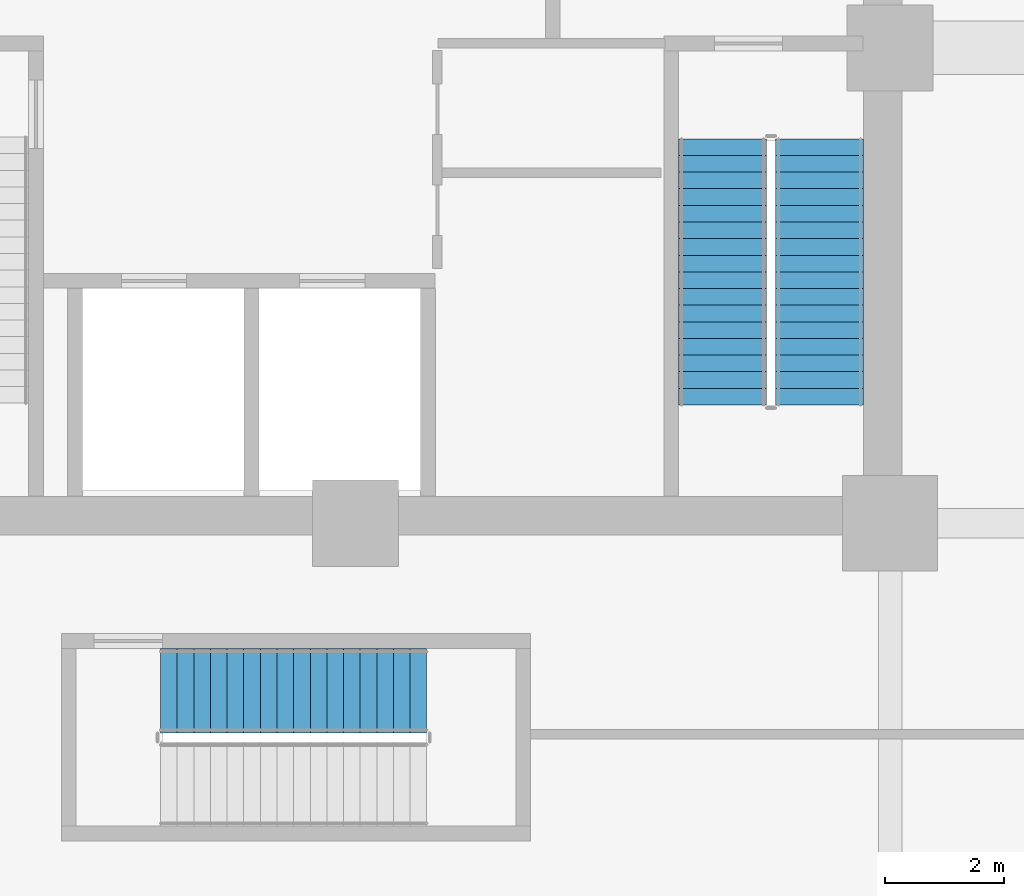
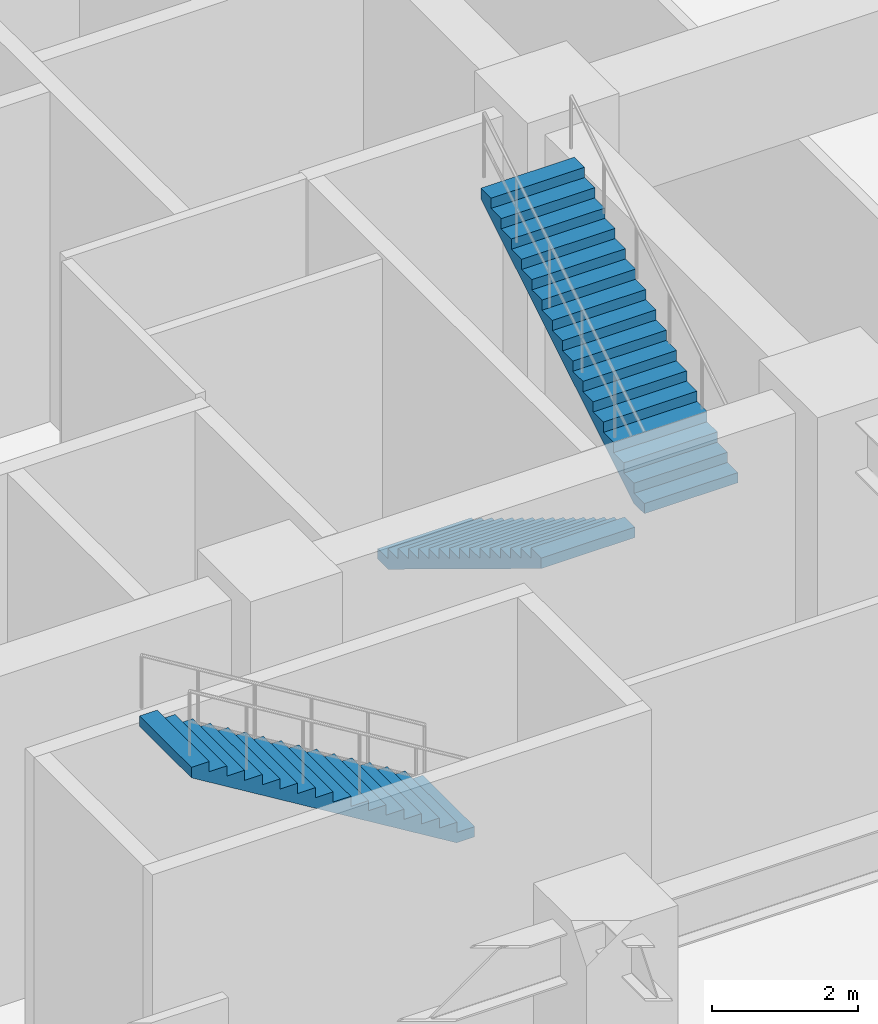
# One storey, part 5 of 12: 3 stair flights, 2 elements without a shape of their own.
"""IFC4 building model written with IfcOpenShell, lengths in metres."""

from ifc_helpers import new_model, si_unit, direction, frame, origin, place, context, subcontext, project, spatial, polyline, outline, extrude, material, type_object, element, aggregate, save


model = new_model("IFC4")

# Units and contexts
model_context = context("Model", 3, precision=1e-05, world=origin(), true_north=direction((0.0, 1.0)))
body_context = subcontext(model_context, "Body", "Model", "MODEL_VIEW")
ifc_project = project(units=[si_unit("LENGTHUNIT", "METRE"), si_unit("AREAUNIT", "SQUARE_METRE"), si_unit("VOLUMEUNIT", "CUBIC_METRE"), si_unit("PLANEANGLEUNIT", "RADIAN"), si_unit("MASSUNIT", "GRAM", prefix="KILO")], contexts=[model_context])

# Site, building, storey
site_placement = place(None, origin())
site = spatial("IfcSite", under=ifc_project, at=site_placement, CompositionType="ELEMENT")
building_placement = place(site_placement, origin())
building = spatial("IfcBuilding", under=site, at=building_placement, Name="Torre Montelarca", CompositionType="ELEMENT")
storey_placement = place(building_placement, frame((0.0, 0.0, 22.199951171875)))
storey = spatial("IfcBuildingStorey", under=building, at=storey_placement, Name="L05", CompositionType="ELEMENT", Elevation=22.199951171875)

# Stair, stair flights
ifc_material = material(Name="Concrete C40/50", Category="concrete")
stair_type_1 = type_object("IfcStairType", Name="ST-CORE-ST2", PredefinedType="HALF_TURN_STAIR", material=ifc_material)
stair_1_placement = place(storey_placement, origin())
stair_1 = element("IfcStair", 1, at=stair_1_placement, inside=storey, type_object=stair_type_1, Name="L05 Protected Exit Stair ST2", PredefinedType="HALF_TURN_STAIR")
stair_flight_type_1 = type_object("IfcStairFlightType", Name="SFL-CORE-ST2", PredefinedType="STRAIGHT", material=ifc_material)
stair_flight_1_placement = place(storey_placement, frame((24.179931640625, 30.469970703125, 0.0), z_axis=(0.0, 0.0, 1.0), x_axis=(0.0, -1.0, 0.0)))
stair_flight_1 = element("IfcStairFlight", 2, at=stair_flight_1_placement, type_object=stair_flight_type_1, Name="ST2 flight 1", NumberOfRisers=17, NumberOfTreads=16, PredefinedType="STRAIGHT", RiserHeight=0.170588235, TreadLength=0.28, context=body_context, shape_type="SweptSolid", body=[
    extrude(outline(polyline([(0.0, 0.0), (0.0, 0.170654296875), (0.280029296875, 0.170654296875), (0.280029296875, 0.341064453125), (0.56005859375, 0.341064453125), (0.56005859375, 0.51171875), (0.840087890625, 0.51171875), (0.840087890625, 0.682373046875), (1.1201171875, 0.682373046875), (1.1201171875, 0.85302734375), (1.39990234375, 0.85302734375), (1.39990234375, 1.0234375), (1.679931640625, 1.0234375), (1.679931640625, 1.194091796875), (1.9599609375, 1.194091796875), (1.9599609375, 1.36474609375), (2.239990234375, 1.36474609375), (2.239990234375, 1.535400390625), (2.52001953125, 1.535400390625), (2.52001953125, 1.705810546875), (2.800048828125, 1.705810546875), (2.800048828125, 1.87646484375), (3.080078125, 1.87646484375), (3.080078125, 2.047119140625), (3.360107421875, 2.047119140625), (3.360107421875, 2.217529296875), (3.639892578125, 2.217529296875), (3.639892578125, 2.38818359375), (3.919921875, 2.38818359375), (3.919921875, 2.558837890625), (4.199951171875, 2.558837890625), (4.199951171875, 2.7294921875), (4.47998046875, 2.7294921875), (4.47998046875, 2.89990234375), (4.47998046875, 2.553955078125), (0.2880859375, 0.0), (0.0, 0.0)])), frame((0.0, 0.739990234375, 0.0), z_axis=(0.0, -1.0, 0.0), x_axis=(1.0, 0.0, 0.0)), (0.0, 0.0, 1.0), 1.47998046875),
])
stair_flight_2_placement = place(storey_placement, frame((25.81005859375, 25.989990234375, 2.900146484375), z_axis=(0.0, 0.0, 1.0), x_axis=(0.0, 1.0, 0.0)))
stair_flight_2 = element("IfcStairFlight", 3, at=stair_flight_2_placement, type_object=stair_flight_type_1, Name="ST2 flight 2", NumberOfRisers=17, NumberOfTreads=16, PredefinedType="STRAIGHT", RiserHeight=0.170588235, TreadLength=0.28, context=body_context, shape_type="SweptSolid", body=[
    extrude(outline(polyline([(0.0, 0.0), (0.0, 0.170654296875), (0.280029296875, 0.170654296875), (0.280029296875, 0.341064453125), (0.56005859375, 0.341064453125), (0.56005859375, 0.51171875), (0.840087890625, 0.51171875), (0.840087890625, 0.682373046875), (1.1201171875, 0.682373046875), (1.1201171875, 0.85302734375), (1.39990234375, 0.85302734375), (1.39990234375, 1.0234375), (1.679931640625, 1.0234375), (1.679931640625, 1.194091796875), (1.9599609375, 1.194091796875), (1.9599609375, 1.36474609375), (2.239990234375, 1.36474609375), (2.239990234375, 1.535400390625), (2.52001953125, 1.535400390625), (2.52001953125, 1.705810546875), (2.800048828125, 1.705810546875), (2.800048828125, 1.87646484375), (3.080078125, 1.87646484375), (3.080078125, 2.047119140625), (3.360107421875, 2.047119140625), (3.360107421875, 2.217529296875), (3.639892578125, 2.217529296875), (3.639892578125, 2.38818359375), (3.919921875, 2.38818359375), (3.919921875, 2.558837890625), (4.199951171875, 2.558837890625), (4.199951171875, 2.7294921875), (4.47998046875, 2.7294921875), (4.47998046875, 2.89990234375), (4.47998046875, 2.553955078125), (0.2880859375, 0.0), (0.0, 0.0)])), frame((0.0, 0.739990234375, 0.0), z_axis=(0.0, -1.0, 0.0), x_axis=(1.0, 0.0, 0.0)), (0.0, 0.0, 1.0), 1.47998046875),
])
aggregate(stair_1, [stair_flight_1, stair_flight_2])

# Stair, stair flight
stair_type_2 = type_object("IfcStairType", Name="ST-CORE-ST3", PredefinedType="HALF_TURN_STAIR", material=ifc_material)
stair_2_placement = place(storey_placement, origin())
stair_2 = element("IfcStair", 4, at=stair_2_placement, inside=storey, type_object=stair_type_2, Name="L05 Low-Rise Exit Stair ST3", PredefinedType="HALF_TURN_STAIR")
stair_flight_type_2 = type_object("IfcStairFlightType", Name="SFL-CORE-ST3", PredefinedType="STRAIGHT", material=ifc_material)
stair_flight_3_placement = place(storey_placement, frame((19.199951171875, 21.179931640625, 2.900146484375), z_axis=(0.0, 0.0, 1.0), x_axis=(-1.0, 0.0, 0.0)))
stair_flight_3 = element("IfcStairFlight", 5, at=stair_flight_3_placement, type_object=stair_flight_type_2, Name="ST3 flight 2", NumberOfRisers=17, NumberOfTreads=16, PredefinedType="STRAIGHT", RiserHeight=0.170588235, TreadLength=0.28, context=body_context, shape_type="SweptSolid", body=[
    extrude(outline(polyline([(0.0, 0.0), (0.0, 0.170654296875), (0.280029296875, 0.170654296875), (0.280029296875, 0.341064453125), (0.56005859375, 0.341064453125), (0.56005859375, 0.51171875), (0.840087890625, 0.51171875), (0.840087890625, 0.682373046875), (1.1201171875, 0.682373046875), (1.1201171875, 0.85302734375), (1.39990234375, 0.85302734375), (1.39990234375, 1.0234375), (1.679931640625, 1.0234375), (1.679931640625, 1.194091796875), (1.9599609375, 1.194091796875), (1.9599609375, 1.36474609375), (2.239990234375, 1.36474609375), (2.239990234375, 1.535400390625), (2.52001953125, 1.535400390625), (2.52001953125, 1.705810546875), (2.800048828125, 1.705810546875), (2.800048828125, 1.87646484375), (3.080078125, 1.87646484375), (3.080078125, 2.047119140625), (3.360107421875, 2.047119140625), (3.360107421875, 2.217529296875), (3.639892578125, 2.217529296875), (3.639892578125, 2.38818359375), (3.919921875, 2.38818359375), (3.919921875, 2.558837890625), (4.199951171875, 2.558837890625), (4.199951171875, 2.7294921875), (4.47998046875, 2.7294921875), (4.47998046875, 2.89990234375), (4.47998046875, 2.553955078125), (0.2880859375, 0.0), (0.0, 0.0)])), frame((0.0, 0.7099609375, 0.0), z_axis=(0.0, -1.0, 0.0), x_axis=(1.0, 0.0, 0.0)), (0.0, 0.0, 1.0), 1.419921875),
])
aggregate(stair_2, [stair_flight_3])

save(model, "model.ifc")
